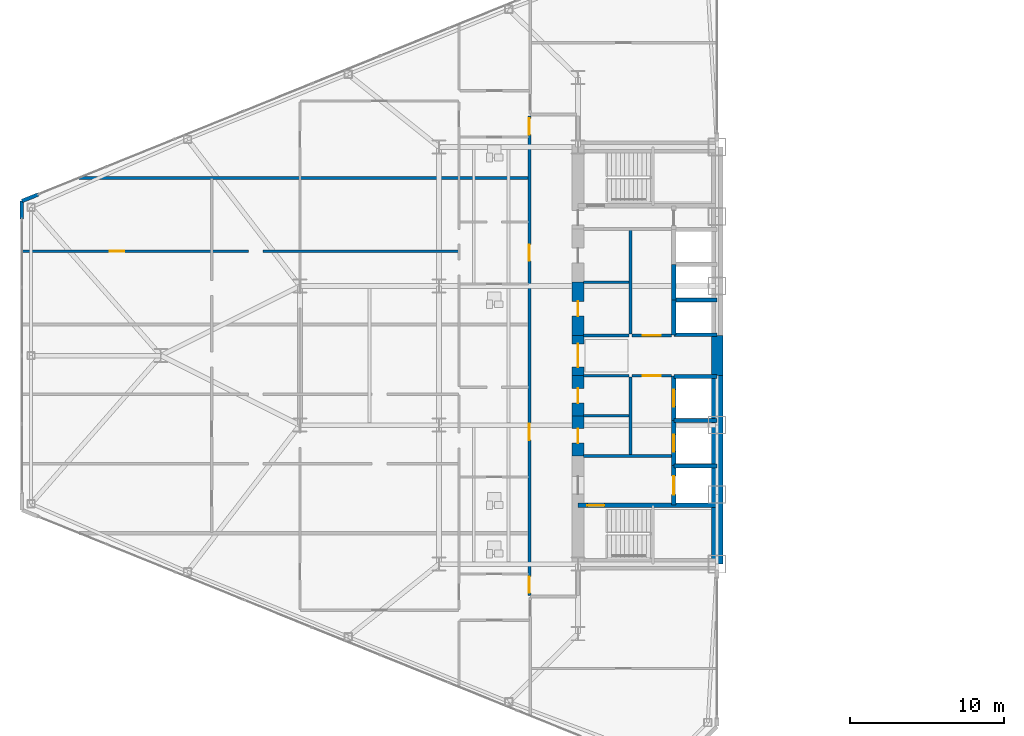
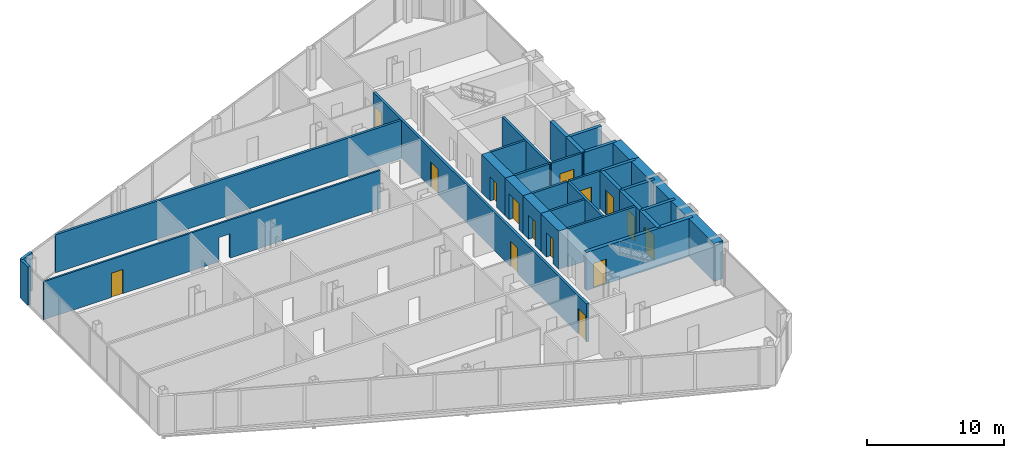
# One storey, part 18 of 25: 31 walls, 15 doors, 16 openings.
"""IFC4 building model written with IfcOpenShell, lengths in metres."""

from ifc_helpers import new_model, si_unit, direction, frame, frame_2d, origin, place, context, subcontext, project, spatial, rectangle, extrude, source, transform, mapped, material, layer, layer_set, type_object, type_shapes, element, fill, save


model = new_model("IFC4")

# Units and contexts
model_context = context("Model", 3, precision=1e-05, world=origin(), true_north=direction((0.0, 1.0)))
body_context = subcontext(model_context, "Body", "Model", "MODEL_VIEW")
ifc_project = project(units=[si_unit("LENGTHUNIT", "METRE"), si_unit("AREAUNIT", "SQUARE_METRE"), si_unit("VOLUMEUNIT", "CUBIC_METRE"), si_unit("PLANEANGLEUNIT", "RADIAN"), si_unit("MASSUNIT", "GRAM", prefix="KILO")], contexts=[model_context])

# Site, building, storey
site_placement = place(None, origin())
site = spatial("IfcSite", under=ifc_project, at=site_placement, CompositionType="ELEMENT")
building_placement = place(site_placement, origin())
building = spatial("IfcBuilding", under=site, at=building_placement, Name="Seokmaru Belvedere", CompositionType="ELEMENT")
storey_placement = place(building_placement, frame((0.0, 0.0, 29.699951171875)))
storey = spatial("IfcBuildingStorey", under=building, at=storey_placement, Name="L07", CompositionType="ELEMENT", Elevation=29.699951171875)

# Wall, openings, door
ifc_material_1 = material(Name="Fire-Rated Gypsum Shaftwall")
ifc_layer_1 = layer(ifc_material_1, 0.14990234375)
ifc_layer_set_1 = layer_set([ifc_layer_1], Name="Fire-Rated Gypsum Shaftwall")
wall_type_1 = type_object("IfcWallType", Name="Apartment Fire-Acoustic Room Partition 150", PredefinedType="PARTITIONING", material=ifc_layer_set_1)
wall_1_placement = place(storey_placement, frame((-72.534912109375, 6.75, 0.0), z_axis=(0.0, 0.0, 1.0), x_axis=(1.0, 0.0, 0.0)))
wall_1 = element("IfcWall", 1, at=wall_1_placement, inside=storey, type_object=wall_type_1, Name="L07 Interior Partition 024", PredefinedType="PARTITIONING", context=body_context, shape_type="SweptSolid", body=[
    extrude(rectangle(XDim=28.284912109375, YDim=0.14990234375, at=frame_2d((14.142578125, 0.0))), origin(), (0.0, 0.0, 1.0), 3.380126953125),
])
opening_1_placement = place(wall_1_placement, frame((5.7099609375, 0.0, 0.0)))
opening_1 = element("IfcOpeningElement", 2, at=opening_1_placement, cuts=wall_1, Name="Opening D05", PredefinedType="OPENING", context=body_context, shape_type="SweptSolid", body=[
    extrude(rectangle(XDim=0.949951171875, YDim=2.14990234375, at=frame_2d((0.47509765625, 1.074951171875))), frame((0.0, 0.0849609375, 0.0), z_axis=(0.0, -1.0, 0.0), x_axis=(1.0, 0.0, 0.0)), (0.0, 0.0, 1.0), 0.169921875),
])
opening_2_placement = place(wall_1_placement, frame((14.7099609375, 0.0, 0.0)))
element("IfcOpeningElement", 3, at=opening_2_placement, cuts=wall_1, Name="L07 Cased Opening 029", PredefinedType="OPENING", context=body_context, shape_type="SweptSolid", body=[
    extrude(rectangle(XDim=0.949951171875, YDim=2.14990234375, at=frame_2d((0.47509765625, 1.074951171875))), frame((0.0, 0.0849609375, 0.0), z_axis=(0.0, -1.0, 0.0), x_axis=(1.0, 0.0, 0.0)), (0.0, 0.0, 1.0), 0.169921875),
])
ifc_material_2 = material(Name="Engineered White Oak Timber", Category="wood")
door_type_1 = type_object("IfcDoorType", Name="Apartment Interior Fire-Rated Oak Door 950x2150", OperationType="NOTDEFINED", PredefinedType="DOOR", material=ifc_material_2)
shared_shape_1 = source(origin(), body_context, "Body", "SweptSolid", [
    extrude(rectangle(XDim=0.949951171875, YDim=2.14990234375, at=frame_2d((0.47509765625, 1.074951171875))), frame((0.0, 0.02490234375, 0.0), z_axis=(0.0, -1.0, 0.0), x_axis=(1.0, 0.0, 0.0)), (0.0, 0.0, 1.0), 0.050048828125),
])
type_shapes(door_type_1, [shared_shape_1])
door_1_placement = place(opening_1_placement, origin())
door_1 = element("IfcDoor", 4, at=door_1_placement, inside=storey, type_object=door_type_1, Name="L07 Interior Door 028", OperationType="SINGLE_SWING_LEFT", OverallHeight=2.14990234375, OverallWidth=0.949951171875, PredefinedType="DOOR", context=body_context, shape_type="MappedRepresentation", body=[
    mapped(shared_shape_1, transform((0.0, 0.0, 0.0), scale=1.0)),
])
fill(opening_1, door_1)

# Walls
ifc_layer_2 = layer(ifc_material_1, 0.179931640625)
ifc_layer_set_2 = layer_set([ifc_layer_2], Name="Fire-Rated Gypsum Shaftwall")
wall_type_2 = type_object("IfcWallType", Name="Core Service Fire Partition 180", PredefinedType="PARTITIONING", material=ifc_layer_set_2)
wall_2_placement = place(storey_placement, frame((-36.14990234375, -6.5, 0.0), z_axis=(0.0, 0.0, 1.0), x_axis=(1.0, 0.0, 0.0)))
element("IfcWall", 5, at=wall_2_placement, inside=storey, type_object=wall_type_2, Name="L07 West Firefighting Lobby Partition", PredefinedType="PARTITIONING", context=body_context, shape_type="SweptSolid", body=[
    extrude(rectangle(XDim=5.699951171875, YDim=0.179931640625, at=frame_2d((2.85009765625, 0.0))), origin(), (0.0, 0.0, 1.0), 3.380126953125),
])
wall_3_placement = place(storey_placement, frame((-33.10009765625, -6.419921875, 0.0), z_axis=(0.0, 0.0, 1.0), x_axis=(0.0, 1.0, 0.0)))
element("IfcWall", 6, at=wall_3_placement, inside=storey, type_object=wall_type_2, Name="L07 West South Core Service Back Wall", PredefinedType="PARTITIONING", context=body_context, shape_type="SweptSolid", body=[
    extrude(rectangle(XDim=5.0400390625, YDim=0.179931640625, at=frame_2d((2.52001953125, 0.0))), origin(), (0.0, 0.0, 1.0), 3.380126953125),
])
wall_4_placement = place(storey_placement, frame((-33.10009765625, 1.3798828125, 0.0), z_axis=(0.0, 0.0, 1.0), x_axis=(0.0, 1.0, 0.0)))
element("IfcWall", 7, at=wall_4_placement, inside=storey, type_object=wall_type_2, Name="L07 West North Core Service Back Wall", PredefinedType="PARTITIONING", context=body_context, shape_type="SweptSolid", body=[
    extrude(rectangle(XDim=6.740234375, YDim=0.179931640625, at=frame_2d((3.3701171875, 0.0))), origin(), (0.0, 0.0, 1.0), 3.380126953125),
])

# Wall, opening, door
wall_5_placement = place(storey_placement, frame((-33.02001953125, -1.300048828125, 0.0), z_axis=(0.0, 0.0, 1.0), x_axis=(1.0, 0.0, 0.0)))
wall_5 = element("IfcWall", 8, at=wall_5_placement, inside=storey, type_object=wall_type_2, Name="L07 West South Lift Lobby Foyer Wall", PredefinedType="PARTITIONING", context=body_context, shape_type="SweptSolid", body=[
    extrude(rectangle(XDim=2.570068359375, YDim=0.179931640625, at=frame_2d((1.28515625, 0.0))), origin(), (0.0, 0.0, 1.0), 3.380126953125),
])
opening_3_placement = place(wall_5_placement, frame((0.7099609375, 0.0, 0.0)))
opening_3 = element("IfcOpeningElement", 9, at=opening_3_placement, cuts=wall_5, Name="Opening D02", PredefinedType="OPENING", context=body_context, shape_type="SweptSolid", body=[
    extrude(rectangle(XDim=1.14990234375, YDim=2.199951171875, at=frame_2d((0.574951171875, 1.10009765625))), frame((0.0, 0.10009765625, 0.0), z_axis=(0.0, -1.0, 0.0), x_axis=(1.0, 0.0, 0.0)), (0.0, 0.0, 1.0), 0.199951171875),
])
ifc_material_3 = material(Name="Fire-Rated Steel Leaf", Category="steel")
door_type_2 = type_object("IfcDoorType", Name="Lobby and Vestibule Fire Door 1150x2200", OperationType="NOTDEFINED", PredefinedType="DOOR", material=ifc_material_3)
shared_shape_2 = source(origin(), body_context, "Body", "SweptSolid", [
    extrude(rectangle(XDim=1.14990234375, YDim=2.199951171875, at=frame_2d((0.574951171875, 1.10009765625))), frame((0.0, 0.02490234375, 0.0), z_axis=(0.0, -1.0, 0.0), x_axis=(1.0, 0.0, 0.0)), (0.0, 0.0, 1.0), 0.050048828125),
])
type_shapes(door_type_2, [shared_shape_2])
door_2_placement = place(opening_3_placement, origin())
door_2 = element("IfcDoor", 10, at=door_2_placement, inside=storey, type_object=door_type_2, Name="L07 West South Core Foyer Door", OperationType="SINGLE_SWING_LEFT", OverallHeight=2.199951171875, OverallWidth=1.14990234375, PredefinedType="DOOR", context=body_context, shape_type="MappedRepresentation", body=[
    mapped(shared_shape_2, transform((0.0, 0.0, 0.0), scale=1.0)),
])
fill(opening_3, door_2)

wall_6_placement = place(storey_placement, frame((-33.02001953125, 1.300048828125, 0.0), z_axis=(0.0, 0.0, 1.0), x_axis=(1.0, 0.0, 0.0)))
wall_6 = element("IfcWall", 11, at=wall_6_placement, inside=storey, type_object=wall_type_2, Name="L07 West North Lift Lobby Foyer Wall", PredefinedType="PARTITIONING", context=body_context, shape_type="SweptSolid", body=[
    extrude(rectangle(XDim=2.570068359375, YDim=0.179931640625, at=frame_2d((1.28515625, 0.0))), origin(), (0.0, 0.0, 1.0), 3.380126953125),
])
opening_4_placement = place(wall_6_placement, frame((0.7099609375, 0.0, 0.0)))
opening_4 = element("IfcOpeningElement", 12, at=opening_4_placement, cuts=wall_6, Name="Opening D02", PredefinedType="OPENING", context=body_context, shape_type="SweptSolid", body=[
    extrude(rectangle(XDim=1.14990234375, YDim=2.199951171875, at=frame_2d((0.574951171875, 1.10009765625))), frame((0.0, 0.10009765625, 0.0), z_axis=(0.0, -1.0, 0.0), x_axis=(1.0, 0.0, 0.0)), (0.0, 0.0, 1.0), 0.199951171875),
])
door_3_placement = place(opening_4_placement, origin())
door_3 = element("IfcDoor", 13, at=door_3_placement, inside=storey, type_object=door_type_2, Name="L07 West North Lift Lobby Door", OperationType="SINGLE_SWING_RIGHT", OverallHeight=2.199951171875, OverallWidth=1.14990234375, PredefinedType="DOOR", context=body_context, shape_type="MappedRepresentation", body=[
    mapped(shared_shape_2, transform((0.0, 0.0, 0.0), scale=1.0)),
])
fill(opening_4, door_3)

# Walls
for number, where, z_axis, x_axis, name in (
    (14, (-36.14990234375, -1.300048828125, 0.0), (0.0, 0.0, 1.0), (1.0, 0.0, 0.0), "L07 West Foyer Side Wall S"),
    (15, (-36.14990234375, 1.300048828125, 0.0), (0.0, 0.0, 1.0), (1.0, 0.0, 0.0), "L07 West Foyer Side Wall N"),
    (16, (-36.14990234375, -3.89990234375, 0.0), (0.0, 0.0, 1.0), (1.0, 0.0, 0.0), "L07 West Core Service Partition 1"),
    (17, (-36.14990234375, 4.75, 0.0), (0.0, 0.0, 1.0), (1.0, 0.0, 0.0), "L07 West Core Service Partition 2"),
):
    element("IfcWall", number, at=place(storey_placement, frame(where, z_axis=z_axis, x_axis=x_axis)), inside=storey, type_object=wall_type_2, Name=name, PredefinedType="PARTITIONING", context=body_context, shape_type="SweptSolid", body=[
        extrude(rectangle(XDim=2.949951171875, YDim=0.179931640625, at=frame_2d((1.47509765625, 0.0))), origin(), (0.0, 0.0, 1.0), 3.380126953125),
    ])
ifc_material_4 = material(Name="Concrete C50 (50 MPa)", Category="concrete")
ifc_layer_3 = layer(ifc_material_4, 0.25)
ifc_layer_set_3 = layer_set([ifc_layer_3], Name="Concrete C50 (50 MPa)")
wall_type_3 = type_object("IfcWallType", Name="Hoistway Transverse Concrete Divider Wall 250", PredefinedType="SHEAR", material=ifc_layer_set_3)
for number, where, z_axis, x_axis, name in (
    (18, (-30.300048828125, -7.14990234375, 0.0), (0.0, 0.0, 1.0), (1.0, 0.0, 0.0), "L07 West Hoistway Divider Core Wall 1"),
    (19, (-30.300048828125, -4.199951171875, 0.0), (0.0, 0.0, 1.0), (1.0, 0.0, 0.0), "L07 West Hoistway Divider Core Wall 2"),
    (20, (-30.300048828125, -1.35009765625, 0.0), (0.0, 0.0, 1.0), (1.0, 0.0, 0.0), "L07 West Hoistway Divider Core Wall 3"),
    (21, (-30.300048828125, 1.35009765625, 0.0), (0.0, 0.0, 1.0), (1.0, 0.0, 0.0), "L07 West Hoistway Divider Core Wall 4"),
    (22, (-30.300048828125, 3.60009765625, 0.0), (0.0, 0.0, 1.0), (1.0, 0.0, 0.0), "L07 West Hoistway Divider Core Wall 5"),
):
    element("IfcWall", number, at=place(storey_placement, frame(where, z_axis=z_axis, x_axis=x_axis)), inside=storey, type_object=wall_type_3, Name=name, PredefinedType="SHEAR", context=body_context, shape_type="SweptSolid", body=[
        extrude(rectangle(XDim=2.800048828125, YDim=0.25, at=frame_2d((1.39990234375, 0.0))), origin(), (0.0, 0.0, 1.0), 3.380126953125),
    ])
ifc_layer_4 = layer(ifc_material_1, 0.199951171875)
ifc_layer_set_4 = layer_set([ifc_layer_4], Name="Fire-Rated Gypsum Shaftwall")
wall_type_4 = type_object("IfcWallType", Name="Inter-Tenancy Fire Compartment Partition 200", PredefinedType="PARTITIONING", material=ifc_layer_set_4)
wall_7_placement = place(storey_placement, frame((-68.806884765625, 11.5, 0.0), z_axis=(0.0, 0.0, 1.0), x_axis=(1.0, 0.0, 0.0)))
element("IfcWall", 23, at=wall_7_placement, inside=storey, type_object=wall_type_4, Name="L07 Interior Partition 028", PredefinedType="PARTITIONING", context=body_context, shape_type="SweptSolid", body=[
    extrude(rectangle(XDim=29.076904296875, YDim=0.199951171875, at=frame_2d((14.53857421875, 0.0))), origin(), (0.0, 0.0, 1.0), 3.380126953125),
])

# Wall, openings, doors
wall_8_placement = place(storey_placement, frame((-39.64990234375, -15.514892578125, 0.0), z_axis=(0.0, 0.0, 1.0), x_axis=(0.0, 1.0, 0.0)))
wall_8 = element("IfcWall", 24, at=wall_8_placement, inside=storey, type_object=wall_type_4, Name="L07 Interior Partition 045", PredefinedType="PARTITIONING", context=body_context, shape_type="SweptSolid", body=[
    extrude(rectangle(XDim=31.02978515625, YDim=0.199951171875, at=frame_2d((15.514892578125, 0.0))), origin(), (0.0, 0.0, 1.0), 3.380126953125),
])
opening_5_placement = place(wall_8_placement, frame((0.159912109375, 0.0, 0.0)))
opening_5 = element("IfcOpeningElement", 25, at=opening_5_placement, cuts=wall_8, Name="Opening D03", PredefinedType="OPENING", context=body_context, shape_type="SweptSolid", body=[
    extrude(rectangle(XDim=1.050048828125, YDim=2.25, at=frame_2d((0.52490234375, 1.125))), frame((0.0, 0.10986328125, 0.0), z_axis=(0.0, -1.0, 0.0), x_axis=(1.0, 0.0, 0.0)), (0.0, 0.0, 1.0), 0.219970703125),
])
opening_6_placement = place(wall_8_placement, frame((10.03759765625, 0.0, 0.0)))
opening_6 = element("IfcOpeningElement", 26, at=opening_6_placement, cuts=wall_8, Name="Opening D03", PredefinedType="OPENING", context=body_context, shape_type="SweptSolid", body=[
    extrude(rectangle(XDim=1.050048828125, YDim=2.25, at=frame_2d((0.52490234375, 1.125))), frame((0.0, 0.10986328125, 0.0), z_axis=(0.0, -1.0, 0.0), x_axis=(1.0, 0.0, 0.0)), (0.0, 0.0, 1.0), 0.219970703125),
])
opening_7_placement = place(wall_8_placement, frame((21.638427734375, 0.0, 0.0)))
opening_7 = element("IfcOpeningElement", 27, at=opening_7_placement, cuts=wall_8, Name="Opening D03", PredefinedType="OPENING", context=body_context, shape_type="SweptSolid", body=[
    extrude(rectangle(XDim=1.050048828125, YDim=2.25, at=frame_2d((0.52490234375, 1.125))), frame((0.0, 0.10986328125, 0.0), z_axis=(0.0, -1.0, 0.0), x_axis=(1.0, 0.0, 0.0)), (0.0, 0.0, 1.0), 0.219970703125),
])
opening_8_placement = place(wall_8_placement, frame((29.820068359375, 0.0, 0.0)))
opening_8 = element("IfcOpeningElement", 28, at=opening_8_placement, cuts=wall_8, Name="Opening D03", PredefinedType="OPENING", context=body_context, shape_type="SweptSolid", body=[
    extrude(rectangle(XDim=1.050048828125, YDim=2.25, at=frame_2d((0.52490234375, 1.125))), frame((0.0, 0.10986328125, 0.0), z_axis=(0.0, -1.0, 0.0), x_axis=(1.0, 0.0, 0.0)), (0.0, 0.0, 1.0), 0.219970703125),
])
door_type_3 = type_object("IfcDoorType", Name="Apartment Entrance Fire Door 1050x2250", OperationType="NOTDEFINED", PredefinedType="DOOR", material=ifc_material_3)
shared_shape_3 = source(origin(), body_context, "Body", "SweptSolid", [
    extrude(rectangle(XDim=1.050048828125, YDim=2.25, at=frame_2d((0.52490234375, 1.125))), frame((0.0, 0.02490234375, 0.0), z_axis=(0.0, -1.0, 0.0), x_axis=(1.0, 0.0, 0.0)), (0.0, 0.0, 1.0), 0.050048828125),
])
type_shapes(door_type_3, [shared_shape_3])
door_4_placement = place(opening_5_placement, origin())
door_4 = element("IfcDoor", 29, at=door_4_placement, inside=storey, type_object=door_type_3, Name="L07 Interior Door 001", OperationType="SINGLE_SWING_RIGHT", OverallHeight=2.25, OverallWidth=1.050048828125, PredefinedType="DOOR", context=body_context, shape_type="MappedRepresentation", body=[
    mapped(shared_shape_3, transform((0.0, 0.0, 0.0), scale=1.0)),
])
fill(opening_5, door_4)
door_5_placement = place(opening_6_placement, origin())
door_5 = element("IfcDoor", 30, at=door_5_placement, inside=storey, type_object=door_type_3, Name="L07 Interior Door 009", OperationType="SINGLE_SWING_LEFT", OverallHeight=2.25, OverallWidth=1.050048828125, PredefinedType="DOOR", context=body_context, shape_type="MappedRepresentation", body=[
    mapped(shared_shape_3, transform((0.0, 0.0, 0.0), scale=1.0)),
])
fill(opening_6, door_5)
door_6_placement = place(opening_7_placement, origin())
door_6 = element("IfcDoor", 31, at=door_6_placement, inside=storey, type_object=door_type_3, Name="L07 Interior Door 021", OperationType="SINGLE_SWING_RIGHT", OverallHeight=2.25, OverallWidth=1.050048828125, PredefinedType="DOOR", context=body_context, shape_type="MappedRepresentation", body=[
    mapped(shared_shape_3, transform((0.0, 0.0, 0.0), scale=1.0)),
])
fill(opening_7, door_6)
door_7_placement = place(opening_8_placement, origin())
door_7 = element("IfcDoor", 32, at=door_7_placement, inside=storey, type_object=door_type_3, Name="L07 Interior Door 030", OperationType="SINGLE_SWING_LEFT", OverallHeight=2.25, OverallWidth=1.050048828125, PredefinedType="DOOR", context=body_context, shape_type="MappedRepresentation", body=[
    mapped(shared_shape_3, transform((0.0, 0.0, 0.0), scale=1.0)),
])
fill(opening_8, door_7)

# Wall, opening, door
ifc_layer_5 = layer(ifc_material_4, 0.300048828125)
ifc_layer_set_5 = layer_set([ifc_layer_5], Name="Concrete C50 (50 MPa)")
wall_type_5 = type_object("IfcWallType", Name="Internal Core Stair and Hoistway Wall 300", PredefinedType="SHEAR", material=ifc_layer_set_5)
wall_9_placement = place(storey_placement, frame((-36.5, -9.699951171875, 0.0), z_axis=(0.0, 0.0, 1.0), x_axis=(1.0, 0.0, 0.0)))
wall_9 = element("IfcWall", 33, at=wall_9_placement, inside=storey, type_object=wall_type_5, Name="L07 West Stair ST-1 Enclosure Wall", PredefinedType="SHEAR", context=body_context, shape_type="SweptSolid", body=[
    extrude(rectangle(XDim=9.0, YDim=0.300048828125, at=frame_2d((4.5, 0.0))), origin(), (0.0, 0.0, 1.0), 3.380126953125),
])
opening_9_placement = place(wall_9_placement, frame((0.60009765625, 0.0, 0.0)))
opening_9 = element("IfcOpeningElement", 34, at=opening_9_placement, cuts=wall_9, Name="Opening D01", PredefinedType="OPENING", context=body_context, shape_type="SweptSolid", body=[
    extrude(rectangle(XDim=1.10009765625, YDim=2.199951171875, at=frame_2d((0.550048828125, 1.10009765625))), frame((0.0, 0.16015625, 0.0), z_axis=(0.0, -1.0, 0.0), x_axis=(1.0, 0.0, 0.0)), (0.0, 0.0, 1.0), 0.320068359375),
])
door_type_4 = type_object("IfcDoorType", Name="Special Escape Stair Smokeproof Fire Door 1100x2200", OperationType="NOTDEFINED", PredefinedType="DOOR", material=ifc_material_3)
shared_shape_4 = source(origin(), body_context, "Body", "SweptSolid", [
    extrude(rectangle(XDim=1.10009765625, YDim=2.199951171875, at=frame_2d((0.550048828125, 1.10009765625))), frame((0.0, 0.02490234375, 0.0), z_axis=(0.0, -1.0, 0.0), x_axis=(1.0, 0.0, 0.0)), (0.0, 0.0, 1.0), 0.050048828125),
])
type_shapes(door_type_4, [shared_shape_4])
door_8_placement = place(opening_9_placement, frame((1.10009765625, 0.0, 0.0), z_axis=(0.0, 0.0, 1.0), x_axis=(-1.0, 0.0, 0.0)))
door_8 = element("IfcDoor", 35, at=door_8_placement, inside=storey, type_object=door_type_4, Name="L07 West Special Escape Stair ST-1 Door", OperationType="SINGLE_SWING_LEFT", OverallHeight=2.199951171875, OverallWidth=1.10009765625, PredefinedType="DOOR", context=body_context, shape_type="MappedRepresentation", body=[
    mapped(shared_shape_4, transform((0.0, 0.0, 0.0), scale=1.0)),
])
fill(opening_9, door_8)

wall_10_placement = place(storey_placement, frame((-30.300048828125, -9.679931640625, 0.0), z_axis=(0.0, 0.0, 1.0), x_axis=(0.0, 1.0, 0.0)))
wall_10 = element("IfcWall", 36, at=wall_10_placement, inside=storey, type_object=wall_type_5, Name="L07 West Firefighting Lift Shaft Front Wall", PredefinedType="SHEAR", context=body_context, shape_type="SweptSolid", body=[
    extrude(rectangle(XDim=2.559814453125, YDim=0.300048828125, at=frame_2d((1.27978515625, 0.0))), origin(), (0.0, 0.0, 1.0), 3.380126953125),
])
opening_10_placement = place(wall_10_placement, frame((0.679931640625, 0.0, 0.0)))
opening_10 = element("IfcOpeningElement", 37, at=opening_10_placement, cuts=wall_10, Name="Opening LD2", PredefinedType="OPENING", context=body_context, shape_type="SweptSolid", body=[
    extrude(rectangle(XDim=1.199951171875, YDim=2.25, at=frame_2d((0.60009765625, 1.125))), frame((0.0, 0.16015625, 0.0), z_axis=(0.0, -1.0, 0.0), x_axis=(1.0, 0.0, 0.0)), (0.0, 0.0, 1.0), 0.320068359375),
])
ifc_material_5 = material(Name="Stainless Steel 316", Category="steel")
door_type_5 = type_object("IfcDoorType", Name="Firefighting Lift Sliding Landing Door 1200x2250", OperationType="DOUBLE_DOOR_SLIDING", PredefinedType="DOOR", material=ifc_material_5)
shared_shape_5 = source(origin(), body_context, "Body", "SweptSolid", [
    extrude(rectangle(XDim=1.199951171875, YDim=2.25, at=frame_2d((0.60009765625, 1.125))), frame((0.0, 0.02490234375, 0.0), z_axis=(0.0, -1.0, 0.0), x_axis=(1.0, 0.0, 0.0)), (0.0, 0.0, 1.0), 0.050048828125),
])
type_shapes(door_type_5, [shared_shape_5])
door_9_placement = place(opening_10_placement, origin())
door_9 = element("IfcDoor", 38, at=door_9_placement, inside=storey, type_object=door_type_5, Name="L07 West Firefighting Lift Landing Door", OperationType="DOUBLE_DOOR_SLIDING", OverallHeight=2.25, OverallWidth=1.199951171875, PredefinedType="DOOR", context=body_context, shape_type="MappedRepresentation", body=[
    mapped(shared_shape_5, transform((0.0, 0.0, 0.0), scale=1.0)),
])
fill(opening_10, door_9)

wall_11_placement = place(storey_placement, frame((-30.300048828125, -7.1201171875, 0.0), z_axis=(0.0, 0.0, 1.0), x_axis=(0.0, 1.0, 0.0)))
wall_11 = element("IfcWall", 39, at=wall_11_placement, inside=storey, type_object=wall_type_5, Name="L07 West Low-Rise Lift PL-1 Front Wall", PredefinedType="SHEAR", context=body_context, shape_type="SweptSolid", body=[
    extrude(rectangle(XDim=2.920166015625, YDim=0.300048828125, at=frame_2d((1.4599609375, 0.0))), origin(), (0.0, 0.0, 1.0), 3.380126953125),
])
opening_11_placement = place(wall_11_placement, frame((0.909912109375, 0.0, 0.0)))
opening_11 = element("IfcOpeningElement", 40, at=opening_11_placement, cuts=wall_11, Name="Opening LD1", PredefinedType="OPENING", context=body_context, shape_type="SweptSolid", body=[
    extrude(rectangle(XDim=1.10009765625, YDim=2.199951171875, at=frame_2d((0.550048828125, 1.10009765625))), frame((0.0, 0.16015625, 0.0), z_axis=(0.0, -1.0, 0.0), x_axis=(1.0, 0.0, 0.0)), (0.0, 0.0, 1.0), 0.320068359375),
])
door_type_6 = type_object("IfcDoorType", Name="Passenger Lift Sliding Landing Door 1100x2200", OperationType="DOUBLE_DOOR_SLIDING", PredefinedType="DOOR", material=ifc_material_5)
shared_shape_6 = source(origin(), body_context, "Body", "SweptSolid", [
    extrude(rectangle(XDim=1.10009765625, YDim=2.199951171875, at=frame_2d((0.550048828125, 1.10009765625))), frame((0.0, 0.02490234375, 0.0), z_axis=(0.0, -1.0, 0.0), x_axis=(1.0, 0.0, 0.0)), (0.0, 0.0, 1.0), 0.050048828125),
])
type_shapes(door_type_6, [shared_shape_6])
door_10_placement = place(opening_11_placement, origin())
door_10 = element("IfcDoor", 41, at=door_10_placement, inside=storey, type_object=door_type_6, Name="L07 West Low-Rise Lift PL-1 Landing Door", OperationType="DOUBLE_DOOR_SLIDING", OverallHeight=2.199951171875, OverallWidth=1.10009765625, PredefinedType="DOOR", context=body_context, shape_type="MappedRepresentation", body=[
    mapped(shared_shape_6, transform((0.0, 0.0, 0.0), scale=1.0)),
])
fill(opening_11, door_10)

wall_12_placement = place(storey_placement, frame((-30.300048828125, -4.199951171875, 0.0), z_axis=(0.0, 0.0, 1.0), x_axis=(0.0, 1.0, 0.0)))
wall_12 = element("IfcWall", 42, at=wall_12_placement, inside=storey, type_object=wall_type_5, Name="L07 West Low-Rise Lift PL-2 Front Wall", PredefinedType="SHEAR", context=body_context, shape_type="SweptSolid", body=[
    extrude(rectangle(XDim=2.8798828125, YDim=0.300048828125, at=frame_2d((1.43994140625, 0.0))), origin(), (0.0, 0.0, 1.0), 3.380126953125),
])
opening_12_placement = place(wall_12_placement, frame((0.889892578125, 0.0, 0.0)))
opening_12 = element("IfcOpeningElement", 43, at=opening_12_placement, cuts=wall_12, Name="Opening LD1", PredefinedType="OPENING", context=body_context, shape_type="SweptSolid", body=[
    extrude(rectangle(XDim=1.10009765625, YDim=2.199951171875, at=frame_2d((0.550048828125, 1.10009765625))), frame((0.0, 0.16015625, 0.0), z_axis=(0.0, -1.0, 0.0), x_axis=(1.0, 0.0, 0.0)), (0.0, 0.0, 1.0), 0.320068359375),
])
door_11_placement = place(opening_12_placement, origin())
door_11 = element("IfcDoor", 44, at=door_11_placement, inside=storey, type_object=door_type_6, Name="L07 West Low-Rise Lift PL-2 Landing Door", OperationType="DOUBLE_DOOR_SLIDING", OverallHeight=2.199951171875, OverallWidth=1.10009765625, PredefinedType="DOOR", context=body_context, shape_type="MappedRepresentation", body=[
    mapped(shared_shape_6, transform((0.0, 0.0, 0.0), scale=1.0)),
])
fill(opening_12, door_11)

# Walls
wall_13_placement = place(storey_placement, frame((-30.300048828125, 1.320068359375, 0.0), z_axis=(0.0, 0.0, 1.0), x_axis=(0.0, 1.0, 0.0)))
element("IfcWall", 45, at=wall_13_placement, inside=storey, type_object=wall_type_5, Name="L07 West North Hoistway Wall PH1", PredefinedType="SHEAR", context=body_context, shape_type="SweptSolid", body=[
    extrude(rectangle(XDim=2.280029296875, YDim=0.300048828125, at=frame_2d((1.14013671875, 0.0))), origin(), (0.0, 0.0, 1.0), 3.380126953125),
])
wall_14_placement = place(storey_placement, frame((-30.300048828125, 3.60009765625, 0.0), z_axis=(0.0, 0.0, 1.0), x_axis=(0.0, 1.0, 0.0)))
element("IfcWall", 46, at=wall_14_placement, inside=storey, type_object=wall_type_5, Name="L07 West North Hoistway Wall PH2", PredefinedType="SHEAR", context=body_context, shape_type="SweptSolid", body=[
    extrude(rectangle(XDim=2.2998046875, YDim=0.300048828125, at=frame_2d((1.14990234375, 0.0))), origin(), (0.0, 0.0, 1.0), 3.380126953125),
])
ifc_material_6 = material(Name="Concrete C60 (60 MPa)", Category="concrete")
ifc_layer_6 = layer(ifc_material_6, 0.75)
ifc_layer_set_6 = layer_set([ifc_layer_6], Name="Concrete C60 (60 MPa)")
wall_type_6 = type_object("IfcWallType", Name="Lower Tower Reinforced Concrete Core Wall 750", PredefinedType="SHEAR", material=ifc_layer_set_6)
wall_15_placement = place(storey_placement, frame((-27.5, -13.5, 0.0), z_axis=(0.0, 0.0, 1.0), x_axis=(0.0, 1.0, 0.0)))
element("IfcWall", 47, at=wall_15_placement, inside=storey, type_object=wall_type_6, Name="L07 West Portal Spine Core Wall South", PredefinedType="SHEAR", context=body_context, shape_type="SweptSolid", body=[
    extrude(rectangle(XDim=12.199951171875, YDim=0.75, at=frame_2d((6.10009765625, 0.0))), origin(), (0.0, 0.0, 1.0), 3.380126953125),
])
wall_16_placement = place(storey_placement, frame((-27.5, -1.300048828125, 0.0), z_axis=(0.0, 0.0, 1.0), x_axis=(0.0, 1.0, 0.0)))
element("IfcWall", 48, at=wall_16_placement, inside=storey, type_object=wall_type_6, Name="L07 West Portal Spine Core Wall Center", PredefinedType="SHEAR", context=body_context, shape_type="SweptSolid", body=[
    extrude(rectangle(XDim=2.60009765625, YDim=0.75, at=frame_2d((1.300048828125, 0.0))), origin(), (0.0, 0.0, 1.0), 3.380126953125),
])

# Wall, opening, door
wall_17_placement = place(storey_placement, frame((-36.5, -1.300048828125, 0.0), z_axis=(0.0, 0.0, 1.0), x_axis=(0.0, 1.0, 0.0)))
wall_17 = element("IfcWall", 49, at=wall_17_placement, inside=storey, type_object=wall_type_6, Name="L07 West West Core Wall FOY", PredefinedType="SHEAR", context=body_context, shape_type="SweptSolid", body=[
    extrude(rectangle(XDim=2.60009765625, YDim=0.75, at=frame_2d((1.300048828125, 0.0))), origin(), (0.0, 0.0, 1.0), 3.380126953125),
])
opening_13_placement = place(wall_17_placement, frame((0.550048828125, 0.0, 0.0)))
opening_13 = element("IfcOpeningElement", 50, at=opening_13_placement, cuts=wall_17, Name="Opening D08", PredefinedType="OPENING", context=body_context, shape_type="SweptSolid", body=[
    extrude(rectangle(XDim=1.5, YDim=2.300048828125, at=frame_2d((0.75, 1.14990234375))), frame((0.0, 0.385009765625, 0.0), z_axis=(0.0, -1.0, 0.0), x_axis=(1.0, 0.0, 0.0)), (0.0, 0.0, 1.0), 0.77001953125),
])
door_type_7 = type_object("IfcDoorType", Name="Cross-Corridor Compartment Double Fire Door 1500x2300", OperationType="DOUBLE_SWING_LEFT", PredefinedType="DOOR", material=ifc_material_3)
shared_shape_7 = source(origin(), body_context, "Body", "SweptSolid", [
    extrude(rectangle(XDim=1.5, YDim=2.300048828125, at=frame_2d((0.75, 1.14990234375))), frame((0.0, 0.02490234375, 0.0), z_axis=(0.0, -1.0, 0.0), x_axis=(1.0, 0.0, 0.0)), (0.0, 0.0, 1.0), 0.050048828125),
])
type_shapes(door_type_7, [shared_shape_7])
door_12_placement = place(opening_13_placement, origin())
door_12 = element("IfcDoor", 51, at=door_12_placement, inside=storey, type_object=door_type_7, Name="L07 West Core Foyer Compartment Door", OperationType="DOUBLE_SWING_LEFT", OverallHeight=2.300048828125, OverallWidth=1.5, PredefinedType="DOOR", context=body_context, shape_type="MappedRepresentation", body=[
    mapped(shared_shape_7, transform((0.0, 0.0, 0.0), scale=1.0)),
])
fill(opening_13, door_12)

wall_18_placement = place(storey_placement, frame((-36.5, -6.5, 0.0), z_axis=(0.0, 0.0, 1.0), x_axis=(0.0, 1.0, 0.0)))
wall_18 = element("IfcWall", 52, at=wall_18_placement, inside=storey, type_object=wall_type_6, Name="L07 West West Core Wall CS1", PredefinedType="SHEAR", context=body_context, shape_type="SweptSolid", body=[
    extrude(rectangle(XDim=2.60009765625, YDim=0.75, at=frame_2d((1.300048828125, 0.0))), origin(), (0.0, 0.0, 1.0), 3.380126953125),
])
opening_14_placement = place(wall_18_placement, frame((0.824951171875, 0.0, 0.0)))
opening_14 = element("IfcOpeningElement", 53, at=opening_14_placement, cuts=wall_18, Name="Opening D04", PredefinedType="OPENING", context=body_context, shape_type="SweptSolid", body=[
    extrude(rectangle(XDim=0.949951171875, YDim=2.14990234375, at=frame_2d((0.47509765625, 1.074951171875))), frame((0.0, 0.385009765625, 0.0), z_axis=(0.0, -1.0, 0.0), x_axis=(1.0, 0.0, 0.0)), (0.0, 0.0, 1.0), 0.77001953125),
])
door_type_8 = type_object("IfcDoorType", Name="Core Service Room Fire Door 950x2150", OperationType="NOTDEFINED", PredefinedType="DOOR", material=ifc_material_3)
shared_shape_8 = source(origin(), body_context, "Body", "SweptSolid", [
    extrude(rectangle(XDim=0.949951171875, YDim=2.14990234375, at=frame_2d((0.47509765625, 1.074951171875))), frame((0.0, 0.02490234375, 0.0), z_axis=(0.0, -1.0, 0.0), x_axis=(1.0, 0.0, 0.0)), (0.0, 0.0, 1.0), 0.050048828125),
])
type_shapes(door_type_8, [shared_shape_8])
door_13_placement = place(opening_14_placement, origin())
door_13 = element("IfcDoor", 54, at=door_13_placement, inside=storey, type_object=door_type_8, Name="L07 West Core Service Room Door 1", OperationType="SINGLE_SWING_LEFT", OverallHeight=2.14990234375, OverallWidth=0.949951171875, PredefinedType="DOOR", context=body_context, shape_type="MappedRepresentation", body=[
    mapped(shared_shape_8, transform((0.0, 0.0, 0.0), scale=1.0)),
])
fill(opening_14, door_13)

wall_19_placement = place(storey_placement, frame((-36.5, -3.89990234375, 0.0), z_axis=(0.0, 0.0, 1.0), x_axis=(0.0, 1.0, 0.0)))
wall_19 = element("IfcWall", 55, at=wall_19_placement, inside=storey, type_object=wall_type_6, Name="L07 West West Core Wall CS2", PredefinedType="SHEAR", context=body_context, shape_type="SweptSolid", body=[
    extrude(rectangle(XDim=2.599853515625, YDim=0.75, at=frame_2d((1.2998046875, 0.0))), origin(), (0.0, 0.0, 1.0), 3.380126953125),
])
opening_15_placement = place(wall_19_placement, frame((0.824951171875, 0.0, 0.0)))
opening_15 = element("IfcOpeningElement", 56, at=opening_15_placement, cuts=wall_19, Name="Opening D04", PredefinedType="OPENING", context=body_context, shape_type="SweptSolid", body=[
    extrude(rectangle(XDim=0.949951171875, YDim=2.14990234375, at=frame_2d((0.47509765625, 1.074951171875))), frame((0.0, 0.385009765625, 0.0), z_axis=(0.0, -1.0, 0.0), x_axis=(1.0, 0.0, 0.0)), (0.0, 0.0, 1.0), 0.77001953125),
])
door_14_placement = place(opening_15_placement, origin())
door_14 = element("IfcDoor", 57, at=door_14_placement, inside=storey, type_object=door_type_8, Name="L07 West Core Service Room Door 2", OperationType="SINGLE_SWING_RIGHT", OverallHeight=2.14990234375, OverallWidth=0.949951171875, PredefinedType="DOOR", context=body_context, shape_type="MappedRepresentation", body=[
    mapped(shared_shape_8, transform((0.0, 0.0, 0.0), scale=1.0)),
])
fill(opening_15, door_14)

wall_20_placement = place(storey_placement, frame((-36.5, 1.300048828125, 0.0), z_axis=(0.0, 0.0, 1.0), x_axis=(0.0, 1.0, 0.0)))
wall_20 = element("IfcWall", 58, at=wall_20_placement, inside=storey, type_object=wall_type_6, Name="L07 West West Core Wall CS3", PredefinedType="SHEAR", context=body_context, shape_type="SweptSolid", body=[
    extrude(rectangle(XDim=3.449951171875, YDim=0.75, at=frame_2d((1.72509765625, 0.0))), origin(), (0.0, 0.0, 1.0), 3.380126953125),
])
opening_16_placement = place(wall_20_placement, frame((1.25, 0.0, 0.0)))
opening_16 = element("IfcOpeningElement", 59, at=opening_16_placement, cuts=wall_20, Name="Opening D04", PredefinedType="OPENING", context=body_context, shape_type="SweptSolid", body=[
    extrude(rectangle(XDim=0.949951171875, YDim=2.14990234375, at=frame_2d((0.47509765625, 1.074951171875))), frame((0.0, 0.385009765625, 0.0), z_axis=(0.0, -1.0, 0.0), x_axis=(1.0, 0.0, 0.0)), (0.0, 0.0, 1.0), 0.77001953125),
])
door_15_placement = place(opening_16_placement, origin())
door_15 = element("IfcDoor", 60, at=door_15_placement, inside=storey, type_object=door_type_8, Name="L07 West Core Service Room Door 3", OperationType="SINGLE_SWING_LEFT", OverallHeight=2.14990234375, OverallWidth=0.949951171875, PredefinedType="DOOR", context=body_context, shape_type="MappedRepresentation", body=[
    mapped(shared_shape_8, transform((0.0, 0.0, 0.0), scale=1.0)),
])
fill(opening_16, door_15)

# Walls
ifc_material_7 = material(Name="Anodised Bronze Aluminium", Category="aluminium")
ifc_layer_7 = layer(ifc_material_7, 0.239990234375)
ifc_layer_set_7 = layer_set([ifc_layer_7], Name="Anodised Bronze Aluminium")
wall_type_7 = type_object("IfcWallType", Name="Tower Corner Spandrel Closure Wall 240", PredefinedType="SOLIDWALL", material=ifc_layer_set_7)
for number, where, z_axis, x_axis, name in (
    (61, (-71.43408203125, 10.431396484375, 0.0), (0.0, 0.0, 1.0), (-0.927007103665, -0.375043770452, 0.0), "L07 W Corner Closure Pier 3B"),
    (62, (-72.5, 9.989990234375, 0.0), (0.0, 0.0, 1.0), (0.0, -1.0, 0.0), "L07 W Corner Closure Pier 4A"),
):
    element("IfcWall", number, at=place(storey_placement, frame(where, z_axis=z_axis, x_axis=x_axis)), inside=storey, type_object=wall_type_7, Name=name, PredefinedType="SOLIDWALL", context=body_context, shape_type="SweptSolid", body=[
        extrude(rectangle(XDim=1.139892578125, YDim=0.239990234375, at=frame_2d((0.56982421875, 0.0))), origin(), (0.0, 0.0, 1.0), 3.380126953125),
    ])

save(model, "model.ifc")
